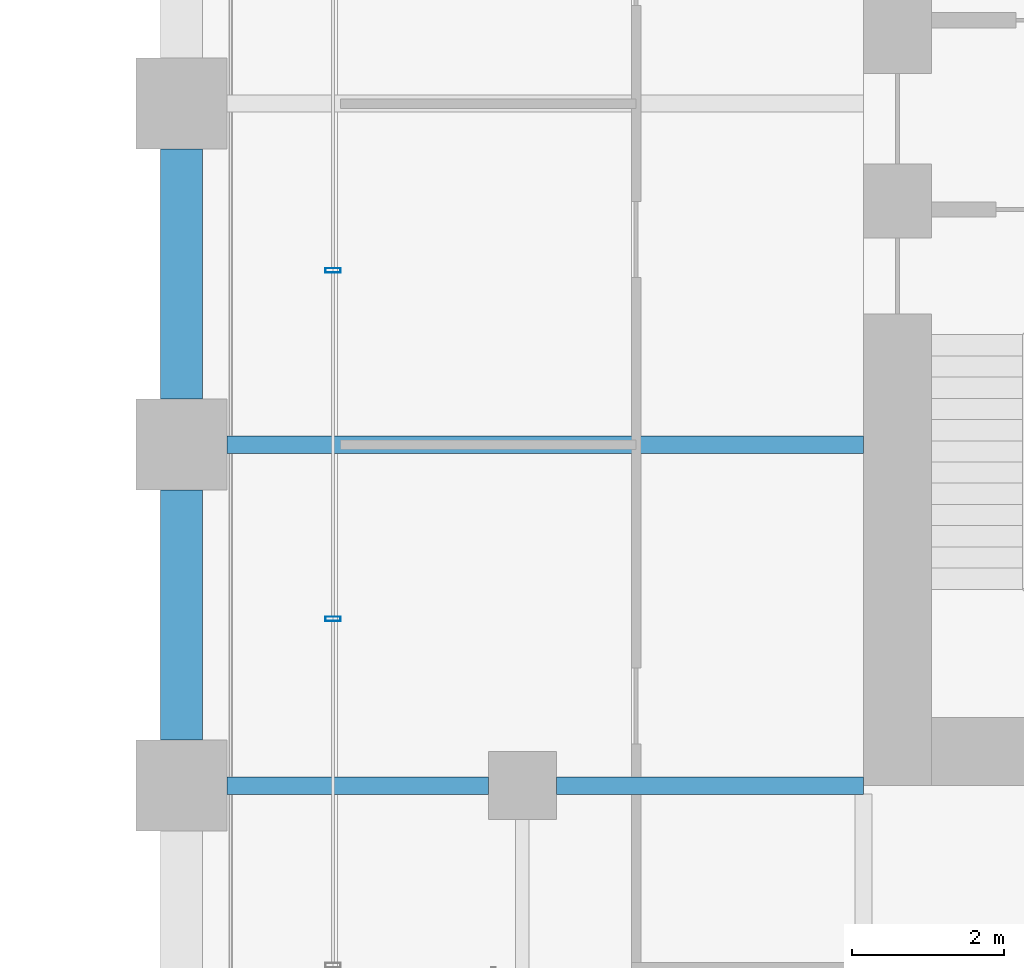
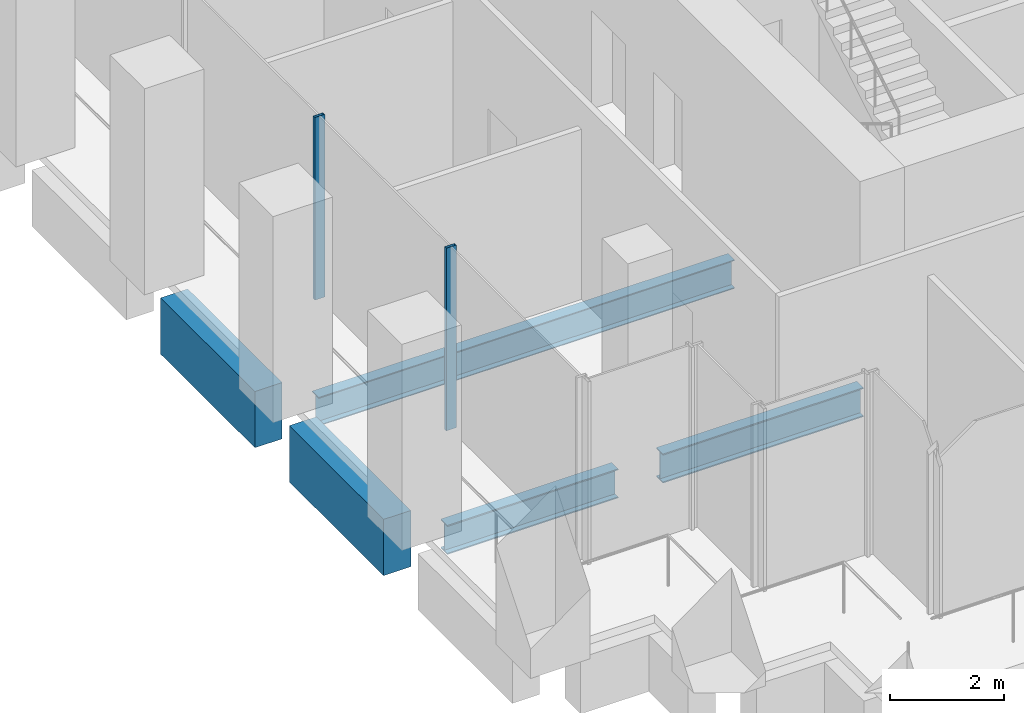
# One storey, part 20 of 36: 5 beams, 2 members, 1 element without a shape of its own.
"""IFC4 building model written with IfcOpenShell, lengths in metres."""

from ifc_helpers import new_model, si_unit, direction, frame, origin, origin_2d, place, context, subcontext, project, spatial, rectangle, hollow_rectangle, i_section, extrude, material, material_profile, profile_set, type_object, element, aggregate, save


model = new_model("IFC4")

# Units and contexts
model_context = context("Model", 3, precision=1e-05, world=origin(), true_north=direction((0.0, 1.0)))
body_context = subcontext(model_context, "Body", "Model", "MODEL_VIEW")
ifc_project = project(units=[si_unit("LENGTHUNIT", "METRE"), si_unit("AREAUNIT", "SQUARE_METRE"), si_unit("VOLUMEUNIT", "CUBIC_METRE"), si_unit("PLANEANGLEUNIT", "RADIAN"), si_unit("MASSUNIT", "GRAM", prefix="KILO")], contexts=[model_context])

# Site, building, storey
site_placement = place(None, origin())
site = spatial("IfcSite", under=ifc_project, at=site_placement, CompositionType="ELEMENT")
building_placement = place(site_placement, origin())
building = spatial("IfcBuilding", under=site, at=building_placement, Name="Altepetl Exchange Towers", CompositionType="ELEMENT")
storey_placement = place(building_placement, frame((0.0, 0.0, 43.0)))
storey = spatial("IfcBuildingStorey", under=building, at=storey_placement, Name="L09", CompositionType="ELEMENT", Elevation=43.0)

# Beams
ifc_material_1 = material(Name="Steel S355", Category="steel")
ifc_material_profile_1 = material_profile(ifc_material_1, i_section(OverallWidth=0.22900390625, OverallDepth=0.612060546875, WebThickness=0.011962890625, FlangeThickness=0.01953125, at=origin_2d()), Name="W24X84")
ifc_profile_set_1 = profile_set([ifc_material_profile_1], Name="Steel S355")
beam_type_1 = type_object("IfcBeamType", Name="Floor beam W24X84", PredefinedType="BEAM", material=ifc_profile_set_1)
beam_1_placement = place(storey_placement, frame((95.10009765625, 40.5, -0.48095703125), z_axis=(1.0, 0.0, 0.0), x_axis=(0.0, 1.0, 0.0)))
element("IfcBeam", 1, at=beam_1_placement, inside=storey, type_object=beam_type_1, Name="bm:B:L09:012", PredefinedType="BEAM", context=body_context, shape_type="SweptSolid", body=[
    extrude(i_section(OverallWidth=0.22900390625, OverallDepth=0.612060546875, WebThickness=0.011962890625, FlangeThickness=0.01953125, at=origin_2d()), origin(), (0.0, 0.0, 1.0), 8.39990234375),
])
ifc_material_profile_2 = material_profile(ifc_material_1, i_section(OverallWidth=0.22900390625, OverallDepth=0.623046875, WebThickness=0.013916015625, FlangeThickness=0.02490234375, at=origin_2d()), Name="W24X103")
ifc_profile_set_2 = profile_set([ifc_material_profile_2], Name="Steel S355")
beam_type_2 = type_object("IfcBeamType", Name="Girder W24X103", PredefinedType="BEAM", material=ifc_profile_set_2)
beam_2_placement = place(storey_placement, frame((103.5, 36.0, -0.486572265625), z_axis=(-1.0, 0.0, 0.0), x_axis=(0.0, -1.0, 0.0)))
element("IfcBeam", 2, at=beam_2_placement, inside=storey, type_object=beam_type_2, Name="gd:B:L09:006", PredefinedType="BEAM", context=body_context, shape_type="SweptSolid", body=[
    extrude(i_section(OverallWidth=0.22900390625, OverallDepth=0.623046875, WebThickness=0.013916015625, FlangeThickness=0.02490234375, at=origin_2d()), origin(), (0.0, 0.0, 1.0), 4.050048828125),
])
beam_3_placement = place(storey_placement, frame((98.550048828125, 36.0, -0.486572265625), z_axis=(-1.0, 0.0, 0.0), x_axis=(0.0, -1.0, 0.0)))
element("IfcBeam", 3, at=beam_3_placement, inside=storey, type_object=beam_type_2, Name="gd:B:L09:007", PredefinedType="BEAM", context=body_context, shape_type="SweptSolid", body=[
    extrude(i_section(OverallWidth=0.22900390625, OverallDepth=0.623046875, WebThickness=0.013916015625, FlangeThickness=0.02490234375, at=origin_2d()), origin(), (0.0, 0.0, 1.0), 3.449951171875),
])

# Curtain wall, members
ifc_material_2 = material(Name="Aluminium 6063-T6 glazing", Category="aluminium")
curtain_wall_type = type_object("IfcCurtainWallType", Name="Trading floor glazing system", PredefinedType="NOTDEFINED", material=ifc_material_2)
curtain_wall_placement = place(storey_placement, origin())
curtain_wall = element("IfcCurtainWall", 4, at=curtain_wall_placement, inside=storey, type_object=curtain_wall_type, Name="CW2 run", PredefinedType="NOTDEFINED")
ifc_material_3 = material(Name="Aluminium 6063-T6", Category="aluminium")
ifc_material_profile_3 = material_profile(ifc_material_3, hollow_rectangle(XDim=0.06005859375, YDim=0.199951171875, WallThickness=0.0029296875, at=origin_2d()), Name="Mullion 60x200 aluminium")
ifc_profile_set_3 = profile_set([ifc_material_profile_3], Name="Aluminium 6063-T6")
member_type = type_object("IfcMemberType", Name="Mullion 60x200 aluminium", PredefinedType="MULLION", material=ifc_profile_set_3)
member_1_placement = place(storey_placement, frame((96.5, 42.800048828125, 0.0), z_axis=(0.0, 0.0, 1.0), x_axis=(0.0, -1.0, 0.0)))
member_1 = element("IfcMember", 5, at=member_1_placement, type_object=member_type, Name="MU2 mullion", PredefinedType="MULLION", context=body_context, shape_type="SweptSolid", body=[
    extrude(hollow_rectangle(XDim=0.06005859375, YDim=0.199951171875, WallThickness=0.0029296875, at=origin_2d()), origin(), (0.0, 0.0, 1.0), 3.89990234375),
])
member_2_placement = place(storey_placement, frame((96.5, 38.199951171875, 0.0), z_axis=(0.0, 0.0, 1.0), x_axis=(0.0, -1.0, 0.0)))
member_2 = element("IfcMember", 6, at=member_2_placement, type_object=member_type, Name="MU2 mullion", PredefinedType="MULLION", context=body_context, shape_type="SweptSolid", body=[
    extrude(hollow_rectangle(XDim=0.06005859375, YDim=0.199951171875, WallThickness=0.0029296875, at=origin_2d()), origin(), (0.0, 0.0, 1.0), 3.89990234375),
])
aggregate(curtain_wall, [member_1, member_2])

# Beams
ifc_material_4 = material(Name="Concrete C50/60 precast with cantera rosa facing", Category="concrete")
ifc_material_profile_4 = material_profile(ifc_material_4, rectangle(XDim=0.550048828125, YDim=1.199951171875, at=origin_2d()), Name="550 x 1200")
ifc_profile_set_4 = profile_set([ifc_material_profile_4], Name="Concrete C50/60 precast with cantera rosa facing")
beam_type_3 = type_object("IfcBeamType", Name="Spandrel beam 550x1200 cantera rosa", PredefinedType="SPANDREL", material=ifc_profile_set_4)
for number, where, z_axis, x_axis, name in (
    (7, (94.5, 44.39990234375, -0.77490234375), (0.0, -1.0, 0.0), (1.0, 0.0, 0.0), "sp:B:L09:029"),
    (8, (94.5, 39.89990234375, -0.77490234375), (0.0, -1.0, 0.0), (1.0, 0.0, 0.0), "sp:B:L09:030"),
):
    element("IfcBeam", number, at=place(storey_placement, frame(where, z_axis=z_axis, x_axis=x_axis)), inside=storey, type_object=beam_type_3, Name=name, PredefinedType="SPANDREL", context=body_context, shape_type="SweptSolid", body=[
        extrude(rectangle(XDim=0.550048828125, YDim=1.199951171875, at=origin_2d()), origin(), (0.0, 0.0, 1.0), 3.2998046875),
    ])

save(model, "model.ifc")
